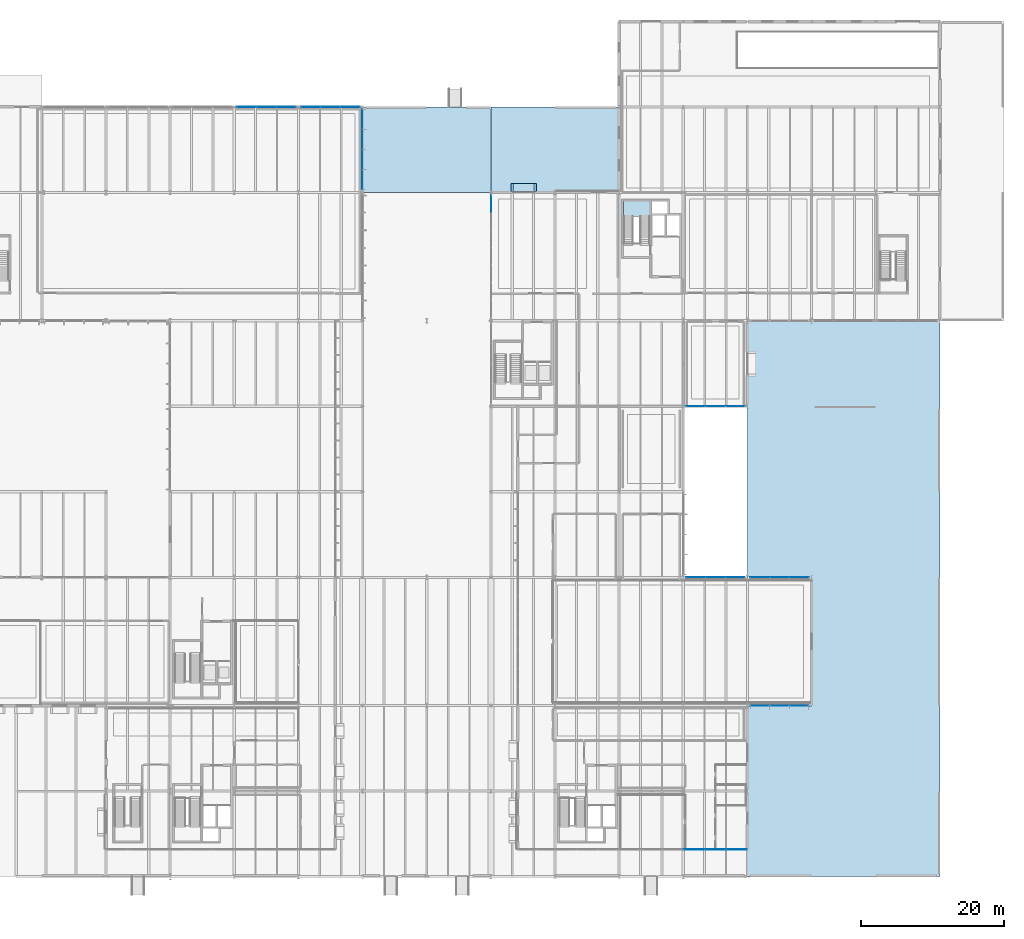
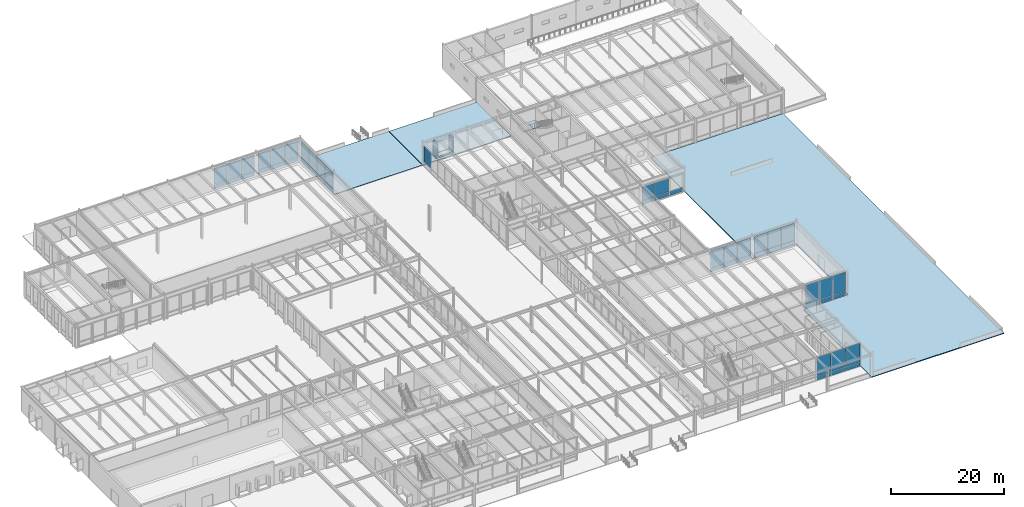
# One storey, part 109 of 143: 54 plates, 4 slabs, 10 elements without a shape of their own.
"""IFC4 building model written with IfcOpenShell, lengths in metres."""

from ifc_helpers import new_model, si_unit, direction, frame, origin, origin_2d, place, context, subcontext, project, spatial, polyline, rectangle, outline, extrude, material, layer, layer_set, type_object, element, aggregate, save


model = new_model("IFC4")

# Units and contexts
model_context = context("Model", 3, precision=1e-05, world=origin(), true_north=direction((0.0, 1.0)))
body_context = subcontext(model_context, "Body", "Model", "MODEL_VIEW")
ifc_project = project(units=[si_unit("LENGTHUNIT", "METRE"), si_unit("AREAUNIT", "SQUARE_METRE"), si_unit("VOLUMEUNIT", "CUBIC_METRE"), si_unit("PLANEANGLEUNIT", "RADIAN"), si_unit("MASSUNIT", "GRAM", prefix="KILO")], contexts=[model_context])

# Site, building, storey
site_placement = place(None, origin())
site = spatial("IfcSite", under=ifc_project, at=site_placement, CompositionType="ELEMENT")
building_placement = place(site_placement, origin())
building = spatial("IfcBuilding", under=site, at=building_placement, Name="Montelvaro Courts of Justice", CompositionType="ELEMENT")
storey_placement = place(building_placement, origin())
storey = spatial("IfcBuildingStorey", under=building, at=storey_placement, Name="L00", CompositionType="ELEMENT", Elevation=0.0)

# Curtain wall, plates
ifc_material_1 = material(Name="Anodised aluminium EN AW-6063", Category="aluminium")
ifc_layer_1 = layer(ifc_material_1, 0.159912109375)
ifc_layer_set_1 = layer_set([ifc_layer_1], Name="Anodised aluminium EN AW-6063")
curtain_wall_type_1 = type_object("IfcCurtainWallType", Name="CurtainWall_03_1132x508", PredefinedType="USERDEFINED", material=ifc_layer_set_1)
curtain_wall_1_placement = place(storey_placement, origin())
curtain_wall_1 = element("IfcCurtainWall", 1, at=curtain_wall_1_placement, inside=storey, type_object=curtain_wall_type_1, Name="Curtain Wall CW-03 (L00)", ObjectType="CURTAIN WALL", PredefinedType="USERDEFINED")
ifc_material_2 = material(Name="Low-E solar control double glazing", Category="glass")
ifc_layer_2 = layer(ifc_material_2, 0.028076171875)
ifc_layer_set_2 = layer_set([ifc_layer_2], Name="Low-E solar control double glazing")
plate_type_1 = type_object("IfcPlateType", Name="CurtainWall_Glazed_Panel_28", PredefinedType="CURTAIN_PANEL", material=ifc_layer_set_2)
plate_1_placement = place(storey_placement, frame((80.949951171875, 97.794921875, 0.06005859375), z_axis=(0.0, 0.0, 1.0), x_axis=(0.0, 1.0, 0.0)))
plate_1 = element("IfcPlate", 2, at=plate_1_placement, type_object=plate_type_1, Name="CW-03 panel 1.1", PredefinedType="CURTAIN_PANEL", context=body_context, shape_type="SweptSolid", body=[
    extrude(rectangle(XDim=2.739990234375, YDim=0.028076171875, at=origin_2d()), origin(), (0.0, 0.0, 1.0), 0.860107421875),
])
plate_2_placement = place(storey_placement, frame((80.949951171875, 97.794921875, 0.97998046875), z_axis=(0.0, 0.0, 1.0), x_axis=(0.0, 1.0, 0.0)))
plate_2 = element("IfcPlate", 3, at=plate_2_placement, type_object=plate_type_1, Name="CW-03 panel 1.2", PredefinedType="CURTAIN_PANEL", context=body_context, shape_type="SweptSolid", body=[
    extrude(rectangle(XDim=2.739990234375, YDim=0.028076171875, at=origin_2d()), origin(), (0.0, 0.0, 1.0), 3.485107421875),
])
plate_3_placement = place(storey_placement, frame((80.949951171875, 100.610107421875, 0.06005859375), z_axis=(0.0, 0.0, 1.0), x_axis=(0.0, 1.0, 0.0)))
plate_3 = element("IfcPlate", 4, at=plate_3_placement, type_object=plate_type_1, Name="CW-03 panel 2.1", PredefinedType="CURTAIN_PANEL", context=body_context, shape_type="SweptSolid", body=[
    extrude(rectangle(XDim=2.77001953125, YDim=0.028076171875, at=origin_2d()), origin(), (0.0, 0.0, 1.0), 0.860107421875),
])
plate_4_placement = place(storey_placement, frame((80.949951171875, 100.610107421875, 0.97998046875), z_axis=(0.0, 0.0, 1.0), x_axis=(0.0, 1.0, 0.0)))
plate_4 = element("IfcPlate", 5, at=plate_4_placement, type_object=plate_type_1, Name="CW-03 panel 2.2", PredefinedType="CURTAIN_PANEL", context=body_context, shape_type="SweptSolid", body=[
    extrude(rectangle(XDim=2.77001953125, YDim=0.028076171875, at=origin_2d()), origin(), (0.0, 0.0, 1.0), 3.485107421875),
])
plate_5_placement = place(storey_placement, frame((80.949951171875, 103.43994140625, 0.06005859375), z_axis=(0.0, 0.0, 1.0), x_axis=(0.0, 1.0, 0.0)))
plate_5 = element("IfcPlate", 6, at=plate_5_placement, type_object=plate_type_1, Name="CW-03 panel 3.1", PredefinedType="CURTAIN_PANEL", context=body_context, shape_type="SweptSolid", body=[
    extrude(rectangle(XDim=2.77001953125, YDim=0.028076171875, at=origin_2d()), origin(), (0.0, 0.0, 1.0), 0.860107421875),
])
plate_6_placement = place(storey_placement, frame((80.949951171875, 103.43994140625, 0.97998046875), z_axis=(0.0, 0.0, 1.0), x_axis=(0.0, 1.0, 0.0)))
plate_6 = element("IfcPlate", 7, at=plate_6_placement, type_object=plate_type_1, Name="CW-03 panel 3.2", PredefinedType="CURTAIN_PANEL", context=body_context, shape_type="SweptSolid", body=[
    extrude(rectangle(XDim=2.77001953125, YDim=0.028076171875, at=origin_2d()), origin(), (0.0, 0.0, 1.0), 3.485107421875),
])
plate_7_placement = place(storey_placement, frame((80.949951171875, 106.2548828125, 0.06005859375), z_axis=(0.0, 0.0, 1.0), x_axis=(0.0, 1.0, 0.0)))
plate_7 = element("IfcPlate", 8, at=plate_7_placement, type_object=plate_type_1, Name="CW-03 panel 4.1", PredefinedType="CURTAIN_PANEL", context=body_context, shape_type="SweptSolid", body=[
    extrude(rectangle(XDim=2.739990234375, YDim=0.028076171875, at=origin_2d()), origin(), (0.0, 0.0, 1.0), 0.860107421875),
])
plate_8_placement = place(storey_placement, frame((80.949951171875, 106.2548828125, 0.97998046875), z_axis=(0.0, 0.0, 1.0), x_axis=(0.0, 1.0, 0.0)))
plate_8 = element("IfcPlate", 9, at=plate_8_placement, type_object=plate_type_1, Name="CW-03 panel 4.2", PredefinedType="CURTAIN_PANEL", context=body_context, shape_type="SweptSolid", body=[
    extrude(rectangle(XDim=2.739990234375, YDim=0.028076171875, at=origin_2d()), origin(), (0.0, 0.0, 1.0), 3.485107421875),
])
aggregate(curtain_wall_1, [plate_1, plate_2, plate_3, plate_4, plate_5, plate_6, plate_7, plate_8])

ifc_layer_3 = layer(ifc_material_1, 0.159912109375)
ifc_layer_set_3 = layer_set([ifc_layer_3], Name="Anodised aluminium EN AW-6063")
curtain_wall_type_2 = type_object("IfcCurtainWallType", Name="CurtainWall_04_832x508", PredefinedType="USERDEFINED", material=ifc_layer_set_3)
curtain_wall_2_placement = place(storey_placement, origin())
curtain_wall_2 = element("IfcCurtainWall", 10, at=curtain_wall_2_placement, inside=storey, type_object=curtain_wall_type_2, Name="Curtain Wall CW-04 (L00)", ObjectType="CURTAIN WALL", PredefinedType="USERDEFINED")
plate_9_placement = place(storey_placement, frame((79.2333984375, 108.0, 0.074951171875), z_axis=(0.0, 0.0, 1.0), x_axis=(-1.0, 0.0, 0.0)))
plate_9 = element("IfcPlate", 11, at=plate_9_placement, type_object=plate_type_1, Name="CW-04 panel 1.1", PredefinedType="CURTAIN_PANEL", context=body_context, shape_type="SweptSolid", body=[
    extrude(rectangle(XDim=2.683349609375, YDim=0.028076171875, at=origin_2d()), origin(), (0.0, 0.0, 1.0), 0.83740234375),
])
plate_10_placement = place(storey_placement, frame((79.2333984375, 108.0, 0.9873046875), z_axis=(0.0, 0.0, 1.0), x_axis=(-1.0, 0.0, 0.0)))
plate_10 = element("IfcPlate", 12, at=plate_10_placement, type_object=plate_type_1, Name="CW-04 panel 1.2", PredefinedType="CURTAIN_PANEL", context=body_context, shape_type="SweptSolid", body=[
    extrude(rectangle(XDim=2.683349609375, YDim=0.028076171875, at=origin_2d()), origin(), (0.0, 0.0, 1.0), 3.472412109375),
])
plate_11_placement = place(storey_placement, frame((76.47509765625, 108.0, 0.074951171875), z_axis=(0.0, 0.0, 1.0), x_axis=(-1.0, 0.0, 0.0)))
plate_11 = element("IfcPlate", 13, at=plate_11_placement, type_object=plate_type_1, Name="CW-04 panel 2.1", PredefinedType="CURTAIN_PANEL", context=body_context, shape_type="SweptSolid", body=[
    extrude(rectangle(XDim=2.71337890625, YDim=0.028076171875, at=origin_2d()), origin(), (0.0, 0.0, 1.0), 0.83740234375),
])
plate_12_placement = place(storey_placement, frame((76.47509765625, 108.0, 0.9873046875), z_axis=(0.0, 0.0, 1.0), x_axis=(-1.0, 0.0, 0.0)))
plate_12 = element("IfcPlate", 14, at=plate_12_placement, type_object=plate_type_1, Name="CW-04 panel 2.2", PredefinedType="CURTAIN_PANEL", context=body_context, shape_type="SweptSolid", body=[
    extrude(rectangle(XDim=2.71337890625, YDim=0.028076171875, at=origin_2d()), origin(), (0.0, 0.0, 1.0), 3.472412109375),
])
plate_13_placement = place(storey_placement, frame((73.716552734375, 108.0, 0.074951171875), z_axis=(0.0, 0.0, 1.0), x_axis=(-1.0, 0.0, 0.0)))
plate_13 = element("IfcPlate", 15, at=plate_13_placement, type_object=plate_type_1, Name="CW-04 panel 3.1", PredefinedType="CURTAIN_PANEL", context=body_context, shape_type="SweptSolid", body=[
    extrude(rectangle(XDim=2.683349609375, YDim=0.028076171875, at=origin_2d()), origin(), (0.0, 0.0, 1.0), 0.83740234375),
])
plate_14_placement = place(storey_placement, frame((73.716552734375, 108.0, 0.9873046875), z_axis=(0.0, 0.0, 1.0), x_axis=(-1.0, 0.0, 0.0)))
plate_14 = element("IfcPlate", 16, at=plate_14_placement, type_object=plate_type_1, Name="CW-04 panel 3.2", PredefinedType="CURTAIN_PANEL", context=body_context, shape_type="SweptSolid", body=[
    extrude(rectangle(XDim=2.683349609375, YDim=0.028076171875, at=origin_2d()), origin(), (0.0, 0.0, 1.0), 3.472412109375),
])
aggregate(curtain_wall_2, [plate_9, plate_10, plate_11, plate_12, plate_13, plate_14])

ifc_layer_4 = layer(ifc_material_1, 0.159912109375)
ifc_layer_set_4 = layer_set([ifc_layer_4], Name="Anodised aluminium EN AW-6063")
curtain_wall_type_3 = type_object("IfcCurtainWallType", Name="CurtainWall_05_837x508", PredefinedType="USERDEFINED", material=ifc_layer_set_4)
curtain_wall_3_placement = place(storey_placement, origin())
curtain_wall_3 = element("IfcCurtainWall", 17, at=curtain_wall_3_placement, inside=storey, type_object=curtain_wall_type_3, Name="Curtain Wall CW-05 (L00)", ObjectType="CURTAIN WALL", PredefinedType="USERDEFINED")
plate_15_placement = place(storey_placement, frame((70.273681640625, 108.0, 0.074951171875), z_axis=(0.0, 0.0, 1.0), x_axis=(-1.0, 0.0, 0.0)))
plate_15 = element("IfcPlate", 18, at=plate_15_placement, type_object=plate_type_1, Name="CW-05 panel 1.1", PredefinedType="CURTAIN_PANEL", context=body_context, shape_type="SweptSolid", body=[
    extrude(rectangle(XDim=2.6923828125, YDim=0.028076171875, at=origin_2d()), origin(), (0.0, 0.0, 1.0), 0.83740234375),
])
plate_16_placement = place(storey_placement, frame((70.273681640625, 108.0, 0.9873046875), z_axis=(0.0, 0.0, 1.0), x_axis=(-1.0, 0.0, 0.0)))
plate_16 = element("IfcPlate", 19, at=plate_16_placement, type_object=plate_type_1, Name="CW-05 panel 1.2", PredefinedType="CURTAIN_PANEL", context=body_context, shape_type="SweptSolid", body=[
    extrude(rectangle(XDim=2.6923828125, YDim=0.028076171875, at=origin_2d()), origin(), (0.0, 0.0, 1.0), 3.472412109375),
])
plate_17_placement = place(storey_placement, frame((67.5, 108.0, 0.074951171875), z_axis=(0.0, 0.0, 1.0), x_axis=(-1.0, 0.0, 0.0)))
plate_17 = element("IfcPlate", 20, at=plate_17_placement, type_object=plate_type_1, Name="CW-05 panel 2.1", PredefinedType="CURTAIN_PANEL", context=body_context, shape_type="SweptSolid", body=[
    extrude(rectangle(XDim=2.72509765625, YDim=0.028076171875, at=origin_2d()), origin(), (0.0, 0.0, 1.0), 0.83740234375),
])
plate_18_placement = place(storey_placement, frame((67.5, 108.0, 0.9873046875), z_axis=(0.0, 0.0, 1.0), x_axis=(-1.0, 0.0, 0.0)))
plate_18 = element("IfcPlate", 21, at=plate_18_placement, type_object=plate_type_1, Name="CW-05 panel 2.2", PredefinedType="CURTAIN_PANEL", context=body_context, shape_type="SweptSolid", body=[
    extrude(rectangle(XDim=2.72509765625, YDim=0.028076171875, at=origin_2d()), origin(), (0.0, 0.0, 1.0), 3.472412109375),
])
plate_19_placement = place(storey_placement, frame((64.726318359375, 108.0, 0.074951171875), z_axis=(0.0, 0.0, 1.0), x_axis=(-1.0, 0.0, 0.0)))
plate_19 = element("IfcPlate", 22, at=plate_19_placement, type_object=plate_type_1, Name="CW-05 panel 3.1", PredefinedType="CURTAIN_PANEL", context=body_context, shape_type="SweptSolid", body=[
    extrude(rectangle(XDim=2.6923828125, YDim=0.028076171875, at=origin_2d()), origin(), (0.0, 0.0, 1.0), 0.83740234375),
])
plate_20_placement = place(storey_placement, frame((64.726318359375, 108.0, 0.9873046875), z_axis=(0.0, 0.0, 1.0), x_axis=(-1.0, 0.0, 0.0)))
plate_20 = element("IfcPlate", 23, at=plate_20_placement, type_object=plate_type_1, Name="CW-05 panel 3.2", PredefinedType="CURTAIN_PANEL", context=body_context, shape_type="SweptSolid", body=[
    extrude(rectangle(XDim=2.6923828125, YDim=0.028076171875, at=origin_2d()), origin(), (0.0, 0.0, 1.0), 3.472412109375),
])
aggregate(curtain_wall_3, [plate_15, plate_16, plate_17, plate_18, plate_19, plate_20])

curtain_wall_4_placement = place(storey_placement, origin())
curtain_wall_4 = element("IfcCurtainWall", 24, at=curtain_wall_4_placement, inside=storey, type_object=curtain_wall_type_3, Name="Curtain Wall CW-05 (L00)", ObjectType="CURTAIN WALL", PredefinedType="USERDEFINED")
plate_21_placement = place(storey_placement, frame((127.728759765625, 66.0, 0.06005859375), z_axis=(0.0, 0.0, 1.0), x_axis=(1.0, 0.0, 0.0)))
plate_21 = element("IfcPlate", 25, at=plate_21_placement, type_object=plate_type_1, Name="CW-05 panel 1.1", PredefinedType="CURTAIN_PANEL", context=body_context, shape_type="SweptSolid", body=[
    extrude(rectangle(XDim=2.677490234375, YDim=0.028076171875, at=origin_2d()), origin(), (0.0, 0.0, 1.0), 0.860107421875),
])
plate_22_placement = place(storey_placement, frame((127.728759765625, 66.0, 0.97998046875), z_axis=(0.0, 0.0, 1.0), x_axis=(1.0, 0.0, 0.0)))
plate_22 = element("IfcPlate", 26, at=plate_22_placement, type_object=plate_type_1, Name="CW-05 panel 1.2", PredefinedType="CURTAIN_PANEL", context=body_context, shape_type="SweptSolid", body=[
    extrude(rectangle(XDim=2.677490234375, YDim=0.028076171875, at=origin_2d()), origin(), (0.0, 0.0, 1.0), 2.864990234375),
])
plate_23_placement = place(storey_placement, frame((130.5, 66.0, 0.06005859375), z_axis=(0.0, 0.0, 1.0), x_axis=(1.0, 0.0, 0.0)))
plate_23 = element("IfcPlate", 27, at=plate_23_placement, type_object=plate_type_1, Name="CW-05 panel 2.1", PredefinedType="CURTAIN_PANEL", context=body_context, shape_type="SweptSolid", body=[
    extrude(rectangle(XDim=2.715087890625, YDim=0.028076171875, at=origin_2d()), origin(), (0.0, 0.0, 1.0), 0.860107421875),
])
plate_24_placement = place(storey_placement, frame((130.5, 66.0, 0.97998046875), z_axis=(0.0, 0.0, 1.0), x_axis=(1.0, 0.0, 0.0)))
plate_24 = element("IfcPlate", 28, at=plate_24_placement, type_object=plate_type_1, Name="CW-05 panel 2.2", PredefinedType="CURTAIN_PANEL", context=body_context, shape_type="SweptSolid", body=[
    extrude(rectangle(XDim=2.715087890625, YDim=0.028076171875, at=origin_2d()), origin(), (0.0, 0.0, 1.0), 2.864990234375),
])
plate_25_placement = place(storey_placement, frame((133.271240234375, 66.0, 0.06005859375), z_axis=(0.0, 0.0, 1.0), x_axis=(1.0, 0.0, 0.0)))
plate_25 = element("IfcPlate", 29, at=plate_25_placement, type_object=plate_type_1, Name="CW-05 panel 3.1", PredefinedType="CURTAIN_PANEL", context=body_context, shape_type="SweptSolid", body=[
    extrude(rectangle(XDim=2.677490234375, YDim=0.028076171875, at=origin_2d()), origin(), (0.0, 0.0, 1.0), 0.860107421875),
])
aggregate(curtain_wall_4, [plate_21, plate_22, plate_23, plate_24, plate_25])

# Curtain wall, plate
ifc_layer_5 = layer(ifc_material_1, 0.159912109375)
ifc_layer_set_5 = layer_set([ifc_layer_5], Name="Anodised aluminium EN AW-6063")
curtain_wall_type_4 = type_object("IfcCurtainWallType", Name="CurtainWall_02_1727x508", PredefinedType="USERDEFINED", material=ifc_layer_set_5)
curtain_wall_5_placement = place(storey_placement, origin())
curtain_wall_5 = element("IfcCurtainWall", 30, at=curtain_wall_5_placement, inside=storey, type_object=curtain_wall_type_4, Name="Curtain Wall CW-02 (L00)", ObjectType="CURTAIN WALL", PredefinedType="USERDEFINED")
plate_26_placement = place(storey_placement, frame((99.050048828125, 94.386474609375, 0.97998046875), z_axis=(0.0, 0.0, 1.0), x_axis=(0.0, -1.0, 0.0)))
plate_26 = element("IfcPlate", 31, at=plate_26_placement, type_object=plate_type_1, Name="CW-02 panel 1.2", PredefinedType="CURTAIN_PANEL", context=body_context, shape_type="SweptSolid", body=[
    extrude(rectangle(XDim=2.377197265625, YDim=0.028076171875, at=origin_2d()), origin(), (0.0, 0.0, 1.0), 3.364990234375),
])
aggregate(curtain_wall_5, [plate_26])

# Curtain wall, plates
ifc_layer_6 = layer(ifc_material_1, 0.159912109375)
ifc_layer_set_6 = layer_set([ifc_layer_6], Name="Anodised aluminium EN AW-6063")
curtain_wall_type_5 = type_object("IfcCurtainWallType", Name="CurtainWall_01_827x508", PredefinedType="USERDEFINED", material=ifc_layer_set_6)
curtain_wall_6_placement = place(storey_placement, origin())
curtain_wall_6 = element("IfcCurtainWall", 32, at=curtain_wall_6_placement, inside=storey, type_object=curtain_wall_type_5, Name="Curtain Wall CW-01 (L00)", ObjectType="CURTAIN WALL", PredefinedType="USERDEFINED")
plate_27_placement = place(storey_placement, frame((136.761962890625, 24.0, 0.074951171875), z_axis=(0.0, 0.0, 1.0), x_axis=(1.0, 0.0, 0.0)))
plate_27 = element("IfcPlate", 33, at=plate_27_placement, type_object=plate_type_1, Name="CW-01 panel 1.1", PredefinedType="CURTAIN_PANEL", context=body_context, shape_type="SweptSolid", body=[
    extrude(rectangle(XDim=2.644287109375, YDim=0.028076171875, at=origin_2d()), origin(), (0.0, 0.0, 1.0), 0.83740234375),
])
plate_28_placement = place(storey_placement, frame((136.761962890625, 24.0, 0.987548828125), z_axis=(0.0, 0.0, 1.0), x_axis=(1.0, 0.0, 0.0)))
plate_28 = element("IfcPlate", 34, at=plate_28_placement, type_object=plate_type_1, Name="CW-01 panel 1.2", PredefinedType="CURTAIN_PANEL", context=body_context, shape_type="SweptSolid", body=[
    extrude(rectangle(XDim=2.644287109375, YDim=0.028076171875, at=origin_2d()), origin(), (0.0, 0.0, 1.0), 4.017578125),
])
plate_29_placement = place(storey_placement, frame((139.5, 24.0, 0.074951171875), z_axis=(0.0, 0.0, 1.0), x_axis=(1.0, 0.0, 0.0)))
plate_29 = element("IfcPlate", 35, at=plate_29_placement, type_object=plate_type_1, Name="CW-01 panel 2.1", PredefinedType="CURTAIN_PANEL", context=body_context, shape_type="SweptSolid", body=[
    extrude(rectangle(XDim=2.681640625, YDim=0.028076171875, at=origin_2d()), origin(), (0.0, 0.0, 1.0), 0.83740234375),
])
plate_30_placement = place(storey_placement, frame((139.5, 24.0, 0.987548828125), z_axis=(0.0, 0.0, 1.0), x_axis=(1.0, 0.0, 0.0)))
plate_30 = element("IfcPlate", 36, at=plate_30_placement, type_object=plate_type_1, Name="CW-01 panel 2.2", PredefinedType="CURTAIN_PANEL", context=body_context, shape_type="SweptSolid", body=[
    extrude(rectangle(XDim=2.681640625, YDim=0.028076171875, at=origin_2d()), origin(), (0.0, 0.0, 1.0), 4.017578125),
])
plate_31_placement = place(storey_placement, frame((142.238037109375, 24.0, 0.074951171875), z_axis=(0.0, 0.0, 1.0), x_axis=(1.0, 0.0, 0.0)))
plate_31 = element("IfcPlate", 37, at=plate_31_placement, type_object=plate_type_1, Name="CW-01 panel 3.1", PredefinedType="CURTAIN_PANEL", context=body_context, shape_type="SweptSolid", body=[
    extrude(rectangle(XDim=2.644287109375, YDim=0.028076171875, at=origin_2d()), origin(), (0.0, 0.0, 1.0), 0.83740234375),
])
plate_32_placement = place(storey_placement, frame((142.238037109375, 24.0, 0.987548828125), z_axis=(0.0, 0.0, 1.0), x_axis=(1.0, 0.0, 0.0)))
plate_32 = element("IfcPlate", 38, at=plate_32_placement, type_object=plate_type_1, Name="CW-01 panel 3.2", PredefinedType="CURTAIN_PANEL", context=body_context, shape_type="SweptSolid", body=[
    extrude(rectangle(XDim=2.644287109375, YDim=0.028076171875, at=origin_2d()), origin(), (0.0, 0.0, 1.0), 4.017578125),
])
aggregate(curtain_wall_6, [plate_27, plate_28, plate_29, plate_30, plate_31, plate_32])

curtain_wall_7_placement = place(storey_placement, origin())
curtain_wall_7 = element("IfcCurtainWall", 39, at=curtain_wall_7_placement, inside=storey, type_object=curtain_wall_type_5, Name="Curtain Wall CW-01 (L00)", ObjectType="CURTAIN WALL", PredefinedType="USERDEFINED")
plate_33_placement = place(storey_placement, frame((142.24169921875, 42.0, 0.06005859375), z_axis=(0.0, 0.0, 1.0), x_axis=(-1.0, 0.0, 0.0)))
plate_33 = element("IfcPlate", 40, at=plate_33_placement, type_object=plate_type_1, Name="CW-01 panel 1.1", PredefinedType="CURTAIN_PANEL", context=body_context, shape_type="SweptSolid", body=[
    extrude(rectangle(XDim=2.666748046875, YDim=0.028076171875, at=origin_2d()), origin(), (0.0, 0.0, 1.0), 0.860107421875),
])
plate_34_placement = place(storey_placement, frame((142.24169921875, 42.0, 0.97998046875), z_axis=(0.0, 0.0, 1.0), x_axis=(-1.0, 0.0, 0.0)))
plate_34 = element("IfcPlate", 41, at=plate_34_placement, type_object=plate_type_1, Name="CW-01 panel 1.2", PredefinedType="CURTAIN_PANEL", context=body_context, shape_type="SweptSolid", body=[
    extrude(rectangle(XDim=2.666748046875, YDim=0.028076171875, at=origin_2d()), origin(), (0.0, 0.0, 1.0), 3.574951171875),
])
plate_35_placement = place(storey_placement, frame((139.5, 42.0, 0.06005859375), z_axis=(0.0, 0.0, 1.0), x_axis=(-1.0, 0.0, 0.0)))
plate_35 = element("IfcPlate", 42, at=plate_35_placement, type_object=plate_type_1, Name="CW-01 panel 2.1", PredefinedType="CURTAIN_PANEL", context=body_context, shape_type="SweptSolid", body=[
    extrude(rectangle(XDim=2.69677734375, YDim=0.028076171875, at=origin_2d()), origin(), (0.0, 0.0, 1.0), 0.860107421875),
])
plate_36_placement = place(storey_placement, frame((139.5, 42.0, 0.97998046875), z_axis=(0.0, 0.0, 1.0), x_axis=(-1.0, 0.0, 0.0)))
plate_36 = element("IfcPlate", 43, at=plate_36_placement, type_object=plate_type_1, Name="CW-01 panel 2.2", PredefinedType="CURTAIN_PANEL", context=body_context, shape_type="SweptSolid", body=[
    extrude(rectangle(XDim=2.69677734375, YDim=0.028076171875, at=origin_2d()), origin(), (0.0, 0.0, 1.0), 3.574951171875),
])
plate_37_placement = place(storey_placement, frame((136.75830078125, 42.0, 0.06005859375), z_axis=(0.0, 0.0, 1.0), x_axis=(-1.0, 0.0, 0.0)))
plate_37 = element("IfcPlate", 44, at=plate_37_placement, type_object=plate_type_1, Name="CW-01 panel 3.1", PredefinedType="CURTAIN_PANEL", context=body_context, shape_type="SweptSolid", body=[
    extrude(rectangle(XDim=2.666748046875, YDim=0.028076171875, at=origin_2d()), origin(), (0.0, 0.0, 1.0), 0.860107421875),
])
plate_38_placement = place(storey_placement, frame((136.75830078125, 42.0, 0.97998046875), z_axis=(0.0, 0.0, 1.0), x_axis=(-1.0, 0.0, 0.0)))
plate_38 = element("IfcPlate", 45, at=plate_38_placement, type_object=plate_type_1, Name="CW-01 panel 3.2", PredefinedType="CURTAIN_PANEL", context=body_context, shape_type="SweptSolid", body=[
    extrude(rectangle(XDim=2.666748046875, YDim=0.028076171875, at=origin_2d()), origin(), (0.0, 0.0, 1.0), 3.574951171875),
])
aggregate(curtain_wall_7, [plate_33, plate_34, plate_35, plate_36, plate_37, plate_38])

curtain_wall_8_placement = place(storey_placement, origin())
curtain_wall_8 = element("IfcCurtainWall", 46, at=curtain_wall_8_placement, inside=storey, type_object=curtain_wall_type_5, Name="Curtain Wall CW-01 (L00)", ObjectType="CURTAIN WALL", PredefinedType="USERDEFINED")
plate_39_placement = place(storey_placement, frame((133.24169921875, 42.0, 0.06005859375), z_axis=(0.0, 0.0, 1.0), x_axis=(-1.0, 0.0, 0.0)))
plate_39 = element("IfcPlate", 47, at=plate_39_placement, type_object=plate_type_1, Name="CW-01 panel 1.1", PredefinedType="CURTAIN_PANEL", context=body_context, shape_type="SweptSolid", body=[
    extrude(rectangle(XDim=2.666748046875, YDim=0.028076171875, at=origin_2d()), origin(), (0.0, 0.0, 1.0), 0.860107421875),
])
plate_40_placement = place(storey_placement, frame((133.24169921875, 42.0, 0.97998046875), z_axis=(0.0, 0.0, 1.0), x_axis=(-1.0, 0.0, 0.0)))
plate_40 = element("IfcPlate", 48, at=plate_40_placement, type_object=plate_type_1, Name="CW-01 panel 1.2", PredefinedType="CURTAIN_PANEL", context=body_context, shape_type="SweptSolid", body=[
    extrude(rectangle(XDim=2.666748046875, YDim=0.028076171875, at=origin_2d()), origin(), (0.0, 0.0, 1.0), 3.574951171875),
])
plate_41_placement = place(storey_placement, frame((130.5, 42.0, 0.06005859375), z_axis=(0.0, 0.0, 1.0), x_axis=(-1.0, 0.0, 0.0)))
plate_41 = element("IfcPlate", 49, at=plate_41_placement, type_object=plate_type_1, Name="CW-01 panel 2.1", PredefinedType="CURTAIN_PANEL", context=body_context, shape_type="SweptSolid", body=[
    extrude(rectangle(XDim=2.69677734375, YDim=0.028076171875, at=origin_2d()), origin(), (0.0, 0.0, 1.0), 0.860107421875),
])
plate_42_placement = place(storey_placement, frame((130.5, 42.0, 0.97998046875), z_axis=(0.0, 0.0, 1.0), x_axis=(-1.0, 0.0, 0.0)))
plate_42 = element("IfcPlate", 50, at=plate_42_placement, type_object=plate_type_1, Name="CW-01 panel 2.2", PredefinedType="CURTAIN_PANEL", context=body_context, shape_type="SweptSolid", body=[
    extrude(rectangle(XDim=2.69677734375, YDim=0.028076171875, at=origin_2d()), origin(), (0.0, 0.0, 1.0), 3.574951171875),
])
plate_43_placement = place(storey_placement, frame((127.75830078125, 42.0, 0.06005859375), z_axis=(0.0, 0.0, 1.0), x_axis=(-1.0, 0.0, 0.0)))
plate_43 = element("IfcPlate", 51, at=plate_43_placement, type_object=plate_type_1, Name="CW-01 panel 3.1", PredefinedType="CURTAIN_PANEL", context=body_context, shape_type="SweptSolid", body=[
    extrude(rectangle(XDim=2.666748046875, YDim=0.028076171875, at=origin_2d()), origin(), (0.0, 0.0, 1.0), 0.860107421875),
])
plate_44_placement = place(storey_placement, frame((127.75830078125, 42.0, 0.97998046875), z_axis=(0.0, 0.0, 1.0), x_axis=(-1.0, 0.0, 0.0)))
plate_44 = element("IfcPlate", 52, at=plate_44_placement, type_object=plate_type_1, Name="CW-01 panel 3.2", PredefinedType="CURTAIN_PANEL", context=body_context, shape_type="SweptSolid", body=[
    extrude(rectangle(XDim=2.666748046875, YDim=0.028076171875, at=origin_2d()), origin(), (0.0, 0.0, 1.0), 3.574951171875),
])
aggregate(curtain_wall_8, [plate_39, plate_40, plate_41, plate_42, plate_43, plate_44])

ifc_layer_7 = layer(ifc_material_1, 0.159912109375)
ifc_layer_set_7 = layer_set([ifc_layer_7], Name="Anodised aluminium EN AW-6063")
curtain_wall_type_6 = type_object("IfcCurtainWallType", Name="CurtainWall_10_896x508", PredefinedType="USERDEFINED", material=ifc_layer_set_7)
curtain_wall_9_placement = place(storey_placement, origin())
curtain_wall_9 = element("IfcCurtainWall", 53, at=curtain_wall_9_placement, inside=storey, type_object=curtain_wall_type_6, Name="Curtain Wall CW-10 (L00)", ObjectType="CURTAIN WALL", PredefinedType="USERDEFINED")
plate_45_placement = place(storey_placement, frame((127.50830078125, 3.800048828125, 0.06005859375), z_axis=(0.0, 0.0, 1.0), x_axis=(1.0, 0.0, 0.0)))
plate_45 = element("IfcPlate", 54, at=plate_45_placement, type_object=plate_type_1, Name="CW-10 panel 1.1", PredefinedType="CURTAIN_PANEL", context=body_context, shape_type="SweptSolid", body=[
    extrude(rectangle(XDim=2.896728515625, YDim=0.028076171875, at=origin_2d()), origin(), (0.0, 0.0, 1.0), 0.860107421875),
])
plate_46_placement = place(storey_placement, frame((127.50830078125, 3.800048828125, 0.97998046875), z_axis=(0.0, 0.0, 1.0), x_axis=(1.0, 0.0, 0.0)))
plate_46 = element("IfcPlate", 55, at=plate_46_placement, type_object=plate_type_1, Name="CW-10 panel 1.2", PredefinedType="CURTAIN_PANEL", context=body_context, shape_type="SweptSolid", body=[
    extrude(rectangle(XDim=2.896728515625, YDim=0.028076171875, at=origin_2d()), origin(), (0.0, 0.0, 1.0), 4.0400390625),
])
plate_47_placement = place(storey_placement, frame((130.47998046875, 3.800048828125, 0.06005859375), z_axis=(0.0, 0.0, 1.0), x_axis=(1.0, 0.0, 0.0)))
plate_47 = element("IfcPlate", 56, at=plate_47_placement, type_object=plate_type_1, Name="CW-10 panel 2.1", PredefinedType="CURTAIN_PANEL", context=body_context, shape_type="SweptSolid", body=[
    extrude(rectangle(XDim=2.9267578125, YDim=0.028076171875, at=origin_2d()), origin(), (0.0, 0.0, 1.0), 0.860107421875),
])
plate_48_placement = place(storey_placement, frame((130.47998046875, 3.800048828125, 0.97998046875), z_axis=(0.0, 0.0, 1.0), x_axis=(1.0, 0.0, 0.0)))
plate_48 = element("IfcPlate", 57, at=plate_48_placement, type_object=plate_type_1, Name="CW-10 panel 2.2", PredefinedType="CURTAIN_PANEL", context=body_context, shape_type="SweptSolid", body=[
    extrude(rectangle(XDim=2.9267578125, YDim=0.028076171875, at=origin_2d()), origin(), (0.0, 0.0, 1.0), 4.0400390625),
])
plate_49_placement = place(storey_placement, frame((133.45166015625, 3.800048828125, 0.06005859375), z_axis=(0.0, 0.0, 1.0), x_axis=(1.0, 0.0, 0.0)))
plate_49 = element("IfcPlate", 58, at=plate_49_placement, type_object=plate_type_1, Name="CW-10 panel 3.1", PredefinedType="CURTAIN_PANEL", context=body_context, shape_type="SweptSolid", body=[
    extrude(rectangle(XDim=2.896728515625, YDim=0.028076171875, at=origin_2d()), origin(), (0.0, 0.0, 1.0), 0.860107421875),
])
plate_50_placement = place(storey_placement, frame((133.45166015625, 3.800048828125, 0.97998046875), z_axis=(0.0, 0.0, 1.0), x_axis=(1.0, 0.0, 0.0)))
plate_50 = element("IfcPlate", 59, at=plate_50_placement, type_object=plate_type_1, Name="CW-10 panel 3.2", PredefinedType="CURTAIN_PANEL", context=body_context, shape_type="SweptSolid", body=[
    extrude(rectangle(XDim=2.896728515625, YDim=0.028076171875, at=origin_2d()), origin(), (0.0, 0.0, 1.0), 4.0400390625),
])
aggregate(curtain_wall_9, [plate_45, plate_46, plate_47, plate_48, plate_49, plate_50])

# Slabs
ifc_material_3 = material(Name="Concrete C35/45", Category="concrete")
ifc_layer_8 = layer(ifc_material_3, 0.179931640625)
ifc_layer_set_8 = layer_set([ifc_layer_8], Name="Concrete C35/45")
slab_type_1 = type_object("IfcSlabType", Name="PavingSlab_180", PredefinedType="USERDEFINED", material=ifc_layer_set_8)
slab_1_placement = place(storey_placement, frame((0.0, 0.0, -0.179931640625)))
element("IfcSlab", 60, at=slab_1_placement, inside=storey, type_object=slab_type_1, Name="Exterior Civic Paving SP-01", ObjectType="PAVING", PredefinedType="USERDEFINED", context=body_context, shape_type="SweptSolid", body=[
    extrude(outline(polyline([(116.97998046875, 108.0), (116.97998046875, 96.02001953125), (99.050048828125, 96.02001953125), (99.050048828125, 108.0), (116.97998046875, 108.0)])), origin(), (0.0, 0.0, 1.0), 0.179931640625),
])
slab_2_placement = place(storey_placement, frame((0.0, 0.0, -0.179931640625)))
element("IfcSlab", 61, at=slab_2_placement, inside=storey, type_object=slab_type_1, Name="Exterior Civic Paving SP-01", ObjectType="PAVING", PredefinedType="USERDEFINED", context=body_context, shape_type="SweptSolid", body=[
    extrude(outline(polyline([(98.949951171875, 108.0), (98.949951171875, 96.02001953125), (81.050048828125, 96.02001953125), (81.050048828125, 108.0), (98.949951171875, 108.0)])), origin(), (0.0, 0.0, 1.0), 0.179931640625),
])
slab_3_placement = place(storey_placement, frame((0.0, 0.0, -0.179931640625)))
element("IfcSlab", 62, at=slab_3_placement, inside=storey, type_object=slab_type_1, Name="Exterior Civic Paving SP-01", ObjectType="PAVING", PredefinedType="USERDEFINED", context=body_context, shape_type="SweptSolid", body=[
    extrude(outline(polyline([(162.0, 0.0), (135.02001953125, 0.0), (135.02001953125, 3.780029296875), (135.02001953125, 3.781982421875), (135.02001953125, 3.783935546875), (135.01904296875, 3.785888671875), (135.01806640625, 3.7880859375), (135.01806640625, 3.7890625), (135.01708984375, 3.7900390625), (135.01806640625, 3.791015625), (135.01806640625, 3.7919921875), (135.01904296875, 3.7939453125), (135.02001953125, 3.7958984375), (135.02001953125, 3.798095703125), (135.02001953125, 3.800048828125), (135.02001953125, 23.97998046875), (144.0, 23.97998046875), (144.001953125, 23.97998046875), (144.00390625, 23.97998046875), (144.006103515625, 23.98095703125), (144.008056640625, 23.98193359375), (144.009033203125, 23.98193359375), (144.010986328125, 23.98291015625), (144.012939453125, 23.985107421875), (144.013916015625, 23.986083984375), (144.014892578125, 23.987060546875), (144.01708984375, 23.989013671875), (144.01806640625, 23.990966796875), (144.01806640625, 23.991943359375), (144.01904296875, 23.993896484375), (144.02001953125, 23.99609375), (144.02001953125, 23.998046875), (144.02001953125, 24.0), (144.02001953125, 42.0), (144.02001953125, 42.001953125), (144.02001953125, 42.00390625), (144.01904296875, 42.006103515625), (144.01806640625, 42.008056640625), (144.01806640625, 42.009033203125), (144.01708984375, 42.010986328125), (144.014892578125, 42.012939453125), (144.013916015625, 42.013916015625), (144.012939453125, 42.014892578125), (144.010986328125, 42.01708984375), (144.009033203125, 42.01806640625), (144.008056640625, 42.01806640625), (144.006103515625, 42.01904296875), (144.00390625, 42.02001953125), (144.001953125, 42.02001953125), (144.0, 42.02001953125), (135.0, 42.02001953125), (135.0, 65.97998046875), (135.001953125, 65.97998046875), (135.00390625, 65.97998046875), (135.006103515625, 65.98095703125), (135.008056640625, 65.98193359375), (135.009033203125, 65.98193359375), (135.010986328125, 65.98291015625), (135.012939453125, 65.985107421875), (135.013916015625, 65.986083984375), (135.014892578125, 65.987060546875), (135.01708984375, 65.989013671875), (135.01806640625, 65.990966796875), (135.01806640625, 65.991943359375), (135.01904296875, 65.993896484375), (135.02001953125, 65.99609375), (135.02001953125, 65.998046875), (135.02001953125, 66.0), (135.02001953125, 77.97998046875), (162.0, 77.97998046875), (162.0, 0.0)])), origin(), (0.0, 0.0, 1.0), 0.179931640625),
])

# Plates
ifc_material_4 = material(Name="White mineral precast concrete C45/55", Category="concrete")
ifc_layer_9 = layer(ifc_material_4, 0.35009765625)
ifc_layer_set_9 = layer_set([ifc_layer_9], Name="White mineral precast concrete C45/55")
plate_type_2 = type_object("IfcPlateType", Name="PrecastSquareFrame_350x1050", PredefinedType="SHEET", material=ifc_layer_set_9)
for number, where, z_axis, x_axis, name in (
    (63, (103.60791015625, 96.695068359375, 3.550048828125), (0.0, 0.0, 1.0), (-1.0, 0.0, 0.0), "Graduated Square Window Frame PF-01 W-L00-002 TOP"),
    (64, (103.60791015625, 96.695068359375, 0.300048828125), (0.0, 0.0, 1.0), (-1.0, 0.0, 0.0), "Graduated Square Window Frame PF-01 W-L00-002 BOT"),
):
    element("IfcPlate", number, at=place(storey_placement, frame(where, z_axis=z_axis, x_axis=x_axis)), inside=storey, type_object=plate_type_2, Name=name, PredefinedType="SHEET", context=body_context, shape_type="SweptSolid", body=[
        extrude(rectangle(XDim=3.60009765625, YDim=1.06005859375, at=origin_2d()), origin(), (0.0, 0.0, 1.0), 0.35009765625),
    ])
for number, where, z_axis, x_axis, name in (
    (65, (105.23291015625, 96.695068359375, 0.650146484375), (0.0, 0.0, 1.0), (-1.0, 0.0, 0.0), "Graduated Square Window Frame PF-01 W-L00-002 L"),
    (66, (101.98291015625, 96.695068359375, 0.650146484375), (0.0, 0.0, 1.0), (-1.0, 0.0, 0.0), "Graduated Square Window Frame PF-01 W-L00-002 R"),
):
    element("IfcPlate", number, at=place(storey_placement, frame(where, z_axis=z_axis, x_axis=x_axis)), inside=storey, type_object=plate_type_2, Name=name, PredefinedType="SHEET", context=body_context, shape_type="SweptSolid", body=[
        extrude(rectangle(XDim=0.35009765625, YDim=1.06005859375, at=origin_2d()), origin(), (0.0, 0.0, 1.0), 2.89990234375),
    ])

# Stair, slab
stair_type = type_object("IfcStairType", Name="ProtectedStair_135", PredefinedType="HALF_TURN_STAIR", material=ifc_material_3)
stair_placement = place(storey_placement, origin())
stair = element("IfcStair", 67, at=stair_placement, inside=storey, type_object=stair_type, Name="Protected Stair ST-K3-L00", PredefinedType="HALF_TURN_STAIR")
ifc_layer_10 = layer(ifc_material_3, 0.199951171875)
ifc_layer_set_10 = layer_set([ifc_layer_10], Name="Concrete C35/45")
slab_type_2 = type_object("IfcSlabType", Name="StairLanding_200", PredefinedType="LANDING", material=ifc_layer_set_10)
slab_4_placement = place(storey_placement, frame((0.0, 0.0, 2.5)))
slab_4 = element("IfcSlab", 68, at=slab_4_placement, type_object=slab_type_2, Name="ST-K3-L00 landing 1", PredefinedType="LANDING", context=body_context, shape_type="SweptSolid", body=[
    extrude(outline(polyline([(117.60009765625, 92.635009765625), (121.300048828125, 92.635009765625), (121.300048828125, 94.800048828125), (117.60009765625, 94.800048828125), (117.60009765625, 92.635009765625)])), origin(), (0.0, 0.0, 1.0), 0.199951171875),
])
aggregate(stair, [slab_4])

save(model, "model.ifc")
